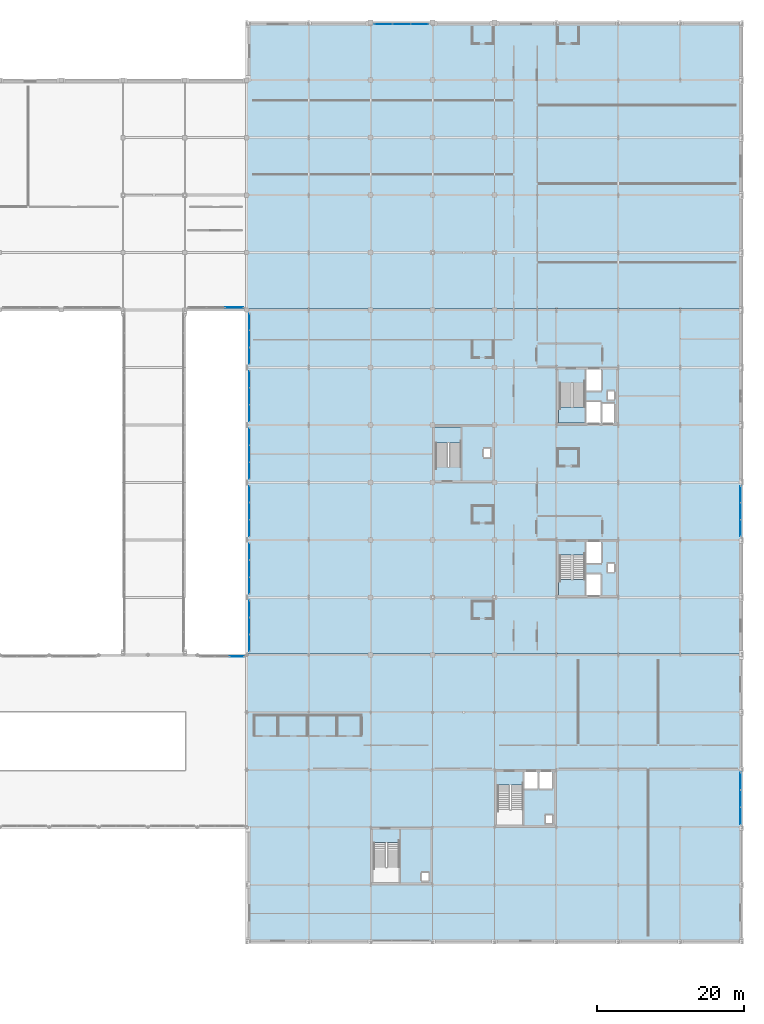
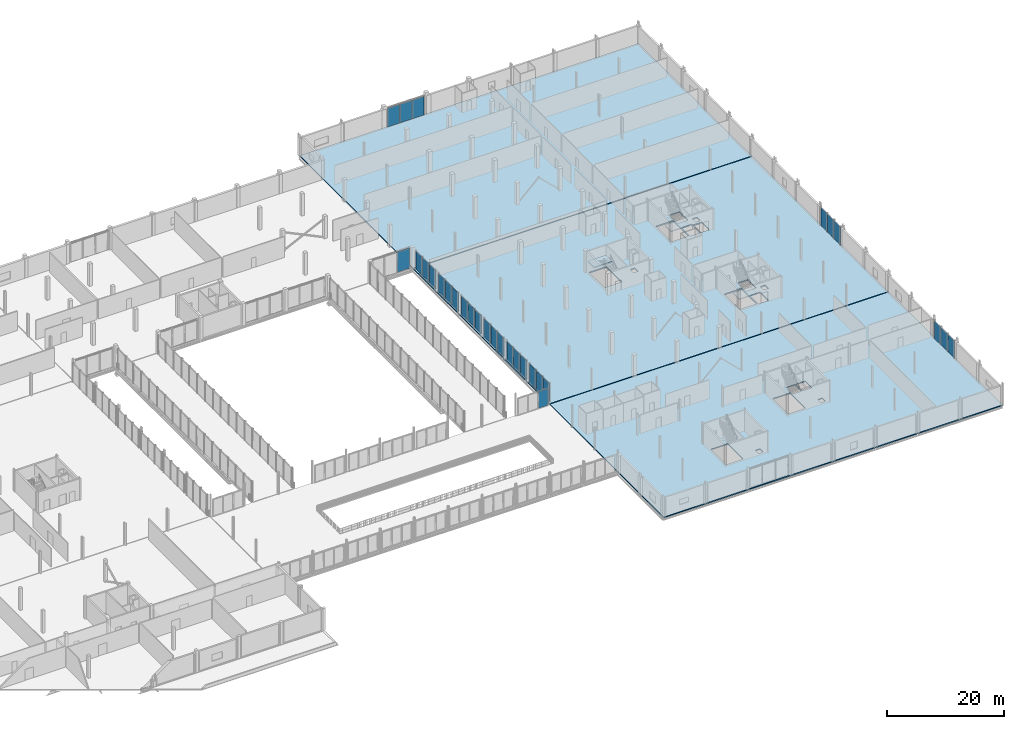
# One storey, part 65 of 98: 29 plates, 6 slabs, 14 elements without a shape of their own.
"""IFC4 building model written with IfcOpenShell, lengths in metres."""

from ifc_helpers import new_model, si_unit, direction, frame, origin, origin_2d, place, context, subcontext, project, spatial, polyline, rectangle, outline, extrude, material, layer, layer_set, type_object, element, aggregate, save


model = new_model("IFC4")

# Units and contexts
model_context = context("Model", 3, precision=1e-05, world=origin(), true_north=direction((0.0, 1.0)))
body_context = subcontext(model_context, "Body", "Model", "MODEL_VIEW")
ifc_project = project(units=[si_unit("LENGTHUNIT", "METRE"), si_unit("AREAUNIT", "SQUARE_METRE"), si_unit("VOLUMEUNIT", "CUBIC_METRE"), si_unit("PLANEANGLEUNIT", "RADIAN"), si_unit("MASSUNIT", "GRAM", prefix="KILO")], contexts=[model_context])

# Site, building, storey
site_placement = place(None, origin())
site = spatial("IfcSite", under=ifc_project, at=site_placement, CompositionType="ELEMENT")
building_placement = place(site_placement, origin())
building = spatial("IfcBuilding", under=site, at=building_placement, Name="Nabrawat Pavilion Hospital", CompositionType="ELEMENT")
storey_placement = place(building_placement, frame((0.0, 0.0, 10.199951171875)))
storey = spatial("IfcBuildingStorey", under=building, at=storey_placement, Name="L02", CompositionType="ELEMENT", Elevation=10.199951171875)

# Slabs
ifc_material_1 = material(Name="Concrete C35/45", Category="concrete")
ifc_layer_1 = layer(ifc_material_1, 0.25, Name="Concrete C35/45")
ifc_layer_set_1 = layer_set([ifc_layer_1], Name="Concrete C35/45")
slab_type_1 = type_object("IfcSlabType", Name="Composite Lower Ward Slab 250", PredefinedType="FLOOR", material=ifc_layer_set_1)
slab_1_placement = place(storey_placement, frame((0.0, 0.0, -0.25)))
element("IfcSlab", 1, at=slab_1_placement, inside=storey, type_object=slab_type_1, Name="L02 Structural Floor Slab P_L02_V6_S", PredefinedType="FLOOR", context=body_context, shape_type="SweptSolid", body=[
    extrude(outline(polyline([(126.1201171875, 39.1201171875), (193.199951171875, 39.1201171875), (193.199951171875, 85.800048828125), (126.1201171875, 85.800048828125), (126.1201171875, 39.1201171875)]), holes=[polyline([(175.8798828125, 73.10009765625), (175.8798828125, 70.5), (174.1201171875, 70.5), (174.1201171875, 73.10009765625), (175.8798828125, 73.10009765625)]), polyline([(174.949951171875, 50.25), (174.949951171875, 51.35009765625), (175.85009765625, 51.35009765625), (175.85009765625, 50.25), (174.949951171875, 50.25)]), polyline([(174.949951171875, 73.64990234375), (174.949951171875, 74.75), (175.85009765625, 74.75), (175.85009765625, 73.64990234375), (174.949951171875, 73.64990234375)]), polyline([(172.10009765625, 51.39990234375), (172.10009765625, 54.300048828125), (174.10009765625, 54.300048828125), (174.10009765625, 51.39990234375), (172.10009765625, 51.39990234375)]), polyline([(172.10009765625, 74.800048828125), (172.10009765625, 77.699951171875), (174.10009765625, 77.699951171875), (174.10009765625, 74.800048828125), (172.10009765625, 74.800048828125)]), polyline([(174.06005859375, 50.0), (174.06005859375, 47.10009765625), (172.10009765625, 47.10009765625), (172.10009765625, 50.0), (174.06005859375, 50.0)]), polyline([(172.10009765625, 70.5), (172.10009765625, 73.39990234375), (174.06005859375, 73.39990234375), (174.06005859375, 70.5), (172.10009765625, 70.5)]), polyline([(171.85009765625, 47.25), (168.449951171875, 47.25), (168.449951171875, 52.530029296875), (171.85009765625, 52.530029296875), (171.85009765625, 47.25)]), polyline([(171.85009765625, 70.64990234375), (168.449951171875, 70.64990234375), (168.449951171875, 75.929931640625), (171.85009765625, 75.929931640625), (171.85009765625, 70.64990234375)]), polyline([(159.050048828125, 66.949951171875), (159.050048828125, 65.85009765625), (158.14990234375, 65.85009765625), (158.14990234375, 66.949951171875), (159.050048828125, 66.949951171875)]), polyline([(155.050048828125, 64.469970703125), (151.64990234375, 64.469970703125), (151.64990234375, 69.75), (155.050048828125, 69.75), (155.050048828125, 64.469970703125)])]), origin(), (0.0, 0.0, 1.0), 0.25),
])
slab_2_placement = place(storey_placement, frame((0.0, 0.0, -0.25)))
element("IfcSlab", 2, at=slab_2_placement, inside=storey, type_object=slab_type_1, Name="L02 Structural Floor Slab P_L02_V6_N", PredefinedType="FLOOR", context=body_context, shape_type="SweptSolid", body=[
    extrude(outline(polyline([(193.199951171875, 85.919921875), (193.199951171875, 124.800048828125), (126.1201171875, 124.800048828125), (126.1201171875, 85.919921875), (193.199951171875, 85.919921875)])), origin(), (0.0, 0.0, 1.0), 0.25),
])
ifc_layer_2 = layer(ifc_material_1, 0.22998046875, Name="Concrete C35/45")
ifc_layer_set_2 = layer_set([ifc_layer_2], Name="Concrete C35/45")
slab_type_2 = type_object("IfcSlabType", Name="Composite Outpatient Floor Slab 230", PredefinedType="FLOOR", material=ifc_layer_set_2)
slab_3_placement = place(storey_placement, frame((0.0, 0.0, -0.22998046875)))
element("IfcSlab", 3, at=slab_3_placement, inside=storey, type_object=slab_type_2, Name="L02 Structural Floor Slab P_L02_V5", PredefinedType="FLOOR", context=body_context, shape_type="SweptSolid", body=[
    extrude(outline(polyline([(126.1201171875, 0.0), (193.199951171875, 0.0), (193.199951171875, 39.0), (126.1201171875, 39.0), (126.1201171875, 0.0)]), holes=[polyline([(167.47998046875, 23.10009765625), (167.47998046875, 20.800048828125), (165.719970703125, 20.800048828125), (165.719970703125, 23.10009765625), (167.47998046875, 23.10009765625)]), polyline([(167.449951171875, 17.25), (167.449951171875, 16.14990234375), (166.550048828125, 16.14990234375), (166.550048828125, 17.25), (167.449951171875, 17.25)]), polyline([(165.4599609375, 23.10009765625), (165.4599609375, 20.800048828125), (163.699951171875, 20.800048828125), (163.699951171875, 23.10009765625), (165.4599609375, 23.10009765625)]), polyline([(160.050048828125, 21.330078125), (163.449951171875, 21.330078125), (163.449951171875, 16.050048828125), (160.050048828125, 16.050048828125), (160.050048828125, 21.330078125)]), polyline([(149.75, 8.35009765625), (149.75, 9.449951171875), (150.64990234375, 9.449951171875), (150.64990234375, 8.35009765625), (149.75, 8.35009765625)]), polyline([(146.64990234375, 8.25), (143.25, 8.25), (143.25, 13.530029296875), (146.64990234375, 13.530029296875), (146.64990234375, 8.25)])]), origin(), (0.0, 0.0, 1.0), 0.22998046875),
])

# Curtain wall, plate
ifc_material_2 = material(Name="Anodised Aluminium", Category="aluminium")
curtain_wall_type_1 = type_object("IfcCurtainWallType", Name="Healing Garden Cloister Curtain Wall", PredefinedType="USERDEFINED", material=ifc_material_2)
curtain_wall_1_placement = place(storey_placement, origin())
curtain_wall_1 = element("IfcCurtainWall", 4, at=curtain_wall_1_placement, inside=storey, type_object=curtain_wall_type_1, Name="L02 Healing Garden Cloister Curtain Wall 129", ObjectType="CURTAIN WALL", PredefinedType="USERDEFINED")
ifc_material_3 = material(Name="Double-Glazed Low-E Glass", Category="glass")
ifc_layer_3 = layer(ifc_material_3, 0.028076171875, Name="Double-Glazed Low-E Glass")
ifc_layer_set_3 = layer_set([ifc_layer_3], Name="Double-Glazed Low-E Glass")
plate_type_1 = type_object("IfcPlateType", Name="Healing Garden Cloister Curtain Wall Low-E Solar Panel 28", PredefinedType="CURTAIN_PANEL", material=ifc_layer_set_3)
plate_1_placement = place(storey_placement, frame((124.29052734375, 86.139892578125, 0.06494140625), z_axis=(0.0, 0.0, 1.0), x_axis=(1.0, 0.0, 0.0)))
plate_1 = element("IfcPlate", 5, at=plate_1_placement, type_object=plate_type_1, Name="CW-CLN-01 panel 3.1", PredefinedType="CURTAIN_PANEL", context=body_context, shape_type="SweptSolid", body=[
    extrude(rectangle(XDim=2.4091796875, YDim=0.028076171875, at=origin_2d()), origin(), (0.0, 0.0, 1.0), 4.239990234375),
])
aggregate(curtain_wall_1, [plate_1])

# Curtain wall, plates
curtain_wall_2_placement = place(storey_placement, origin())
curtain_wall_2 = element("IfcCurtainWall", 6, at=curtain_wall_2_placement, inside=storey, type_object=curtain_wall_type_1, Name="L02 Healing Garden Cloister Curtain Wall 131", ObjectType="CURTAIN WALL", PredefinedType="USERDEFINED")
plate_2_placement = place(storey_placement, frame((126.340087890625, 40.61376953125, 0.06494140625), z_axis=(0.0, 0.0, 1.0), x_axis=(0.0, 1.0, 0.0)))
plate_2 = element("IfcPlate", 7, at=plate_2_placement, type_object=plate_type_1, Name="CW-CLN-01 panel 1.1", PredefinedType="CURTAIN_PANEL", context=body_context, shape_type="SweptSolid", body=[
    extrude(rectangle(XDim=2.217529296875, YDim=0.028076171875, at=origin_2d()), origin(), (0.0, 0.0, 1.0), 3.860107421875),
])
plate_3_placement = place(storey_placement, frame((126.340087890625, 42.91259765625, 0.06494140625), z_axis=(0.0, 0.0, 1.0), x_axis=(0.0, 1.0, 0.0)))
plate_3 = element("IfcPlate", 8, at=plate_3_placement, type_object=plate_type_1, Name="CW-CLN-01 panel 2.1", PredefinedType="CURTAIN_PANEL", context=body_context, shape_type="SweptSolid", body=[
    extrude(rectangle(XDim=2.25, YDim=0.028076171875, at=origin_2d()), origin(), (0.0, 0.0, 1.0), 3.860107421875),
])
plate_4_placement = place(storey_placement, frame((126.340087890625, 45.211181640625, 0.06494140625), z_axis=(0.0, 0.0, 1.0), x_axis=(0.0, 1.0, 0.0)))
plate_4 = element("IfcPlate", 9, at=plate_4_placement, type_object=plate_type_1, Name="CW-CLN-01 panel 3.1", PredefinedType="CURTAIN_PANEL", context=body_context, shape_type="SweptSolid", body=[
    extrude(rectangle(XDim=2.217529296875, YDim=0.028076171875, at=origin_2d()), origin(), (0.0, 0.0, 1.0), 3.860107421875),
])
aggregate(curtain_wall_2, [plate_2, plate_3, plate_4])

curtain_wall_3_placement = place(storey_placement, origin())
curtain_wall_3 = element("IfcCurtainWall", 10, at=curtain_wall_3_placement, inside=storey, type_object=curtain_wall_type_1, Name="L02 Healing Garden Cloister Curtain Wall 132", ObjectType="CURTAIN WALL", PredefinedType="USERDEFINED")
plate_5_placement = place(storey_placement, frame((126.340087890625, 48.392822265625, 0.06494140625), z_axis=(0.0, 0.0, 1.0), x_axis=(0.0, 1.0, 0.0)))
plate_5 = element("IfcPlate", 11, at=plate_5_placement, type_object=plate_type_1, Name="CW-CLN-01 panel 1.1", PredefinedType="CURTAIN_PANEL", context=body_context, shape_type="SweptSolid", body=[
    extrude(rectangle(XDim=2.225830078125, YDim=0.028076171875, at=origin_2d()), origin(), (0.0, 0.0, 1.0), 3.860107421875),
])
plate_6_placement = place(storey_placement, frame((126.340087890625, 50.699951171875, 0.06494140625), z_axis=(0.0, 0.0, 1.0), x_axis=(0.0, 1.0, 0.0)))
plate_6 = element("IfcPlate", 12, at=plate_6_placement, type_object=plate_type_1, Name="CW-CLN-01 panel 2.1", PredefinedType="CURTAIN_PANEL", context=body_context, shape_type="SweptSolid", body=[
    extrude(rectangle(XDim=2.25830078125, YDim=0.028076171875, at=origin_2d()), origin(), (0.0, 0.0, 1.0), 3.860107421875),
])
plate_7_placement = place(storey_placement, frame((126.340087890625, 53.007080078125, 0.06494140625), z_axis=(0.0, 0.0, 1.0), x_axis=(0.0, 1.0, 0.0)))
plate_7 = element("IfcPlate", 13, at=plate_7_placement, type_object=plate_type_1, Name="CW-CLN-01 panel 3.1", PredefinedType="CURTAIN_PANEL", context=body_context, shape_type="SweptSolid", body=[
    extrude(rectangle(XDim=2.225830078125, YDim=0.028076171875, at=origin_2d()), origin(), (0.0, 0.0, 1.0), 3.860107421875),
])
aggregate(curtain_wall_3, [plate_5, plate_6, plate_7])

curtain_wall_4_placement = place(storey_placement, origin())
curtain_wall_4 = element("IfcCurtainWall", 14, at=curtain_wall_4_placement, inside=storey, type_object=curtain_wall_type_1, Name="L02 Healing Garden Cloister Curtain Wall 133", ObjectType="CURTAIN WALL", PredefinedType="USERDEFINED")
plate_8_placement = place(storey_placement, frame((126.340087890625, 56.19287109375, 0.06494140625), z_axis=(0.0, 0.0, 1.0), x_axis=(0.0, 1.0, 0.0)))
plate_8 = element("IfcPlate", 15, at=plate_8_placement, type_object=plate_type_1, Name="CW-CLN-01 panel 1.1", PredefinedType="CURTAIN_PANEL", context=body_context, shape_type="SweptSolid", body=[
    extrude(rectangle(XDim=2.225830078125, YDim=0.028076171875, at=origin_2d()), origin(), (0.0, 0.0, 1.0), 3.860107421875),
])
plate_9_placement = place(storey_placement, frame((126.340087890625, 58.5, 0.06494140625), z_axis=(0.0, 0.0, 1.0), x_axis=(0.0, 1.0, 0.0)))
plate_9 = element("IfcPlate", 16, at=plate_9_placement, type_object=plate_type_1, Name="CW-CLN-01 panel 2.1", PredefinedType="CURTAIN_PANEL", context=body_context, shape_type="SweptSolid", body=[
    extrude(rectangle(XDim=2.25830078125, YDim=0.028076171875, at=origin_2d()), origin(), (0.0, 0.0, 1.0), 3.860107421875),
])
plate_10_placement = place(storey_placement, frame((126.340087890625, 60.80712890625, 0.06494140625), z_axis=(0.0, 0.0, 1.0), x_axis=(0.0, 1.0, 0.0)))
plate_10 = element("IfcPlate", 17, at=plate_10_placement, type_object=plate_type_1, Name="CW-CLN-01 panel 3.1", PredefinedType="CURTAIN_PANEL", context=body_context, shape_type="SweptSolid", body=[
    extrude(rectangle(XDim=2.225830078125, YDim=0.028076171875, at=origin_2d()), origin(), (0.0, 0.0, 1.0), 3.860107421875),
])
aggregate(curtain_wall_4, [plate_8, plate_9, plate_10])

curtain_wall_5_placement = place(storey_placement, origin())
curtain_wall_5 = element("IfcCurtainWall", 18, at=curtain_wall_5_placement, inside=storey, type_object=curtain_wall_type_1, Name="L02 Healing Garden Cloister Curtain Wall 134", ObjectType="CURTAIN WALL", PredefinedType="USERDEFINED")
plate_11_placement = place(storey_placement, frame((126.340087890625, 63.992919921875, 0.06494140625), z_axis=(0.0, 0.0, 1.0), x_axis=(0.0, 1.0, 0.0)))
plate_11 = element("IfcPlate", 19, at=plate_11_placement, type_object=plate_type_1, Name="CW-CLN-01 panel 1.1", PredefinedType="CURTAIN_PANEL", context=body_context, shape_type="SweptSolid", body=[
    extrude(rectangle(XDim=2.225830078125, YDim=0.028076171875, at=origin_2d()), origin(), (0.0, 0.0, 1.0), 3.860107421875),
])
plate_12_placement = place(storey_placement, frame((126.340087890625, 66.300048828125, 0.06494140625), z_axis=(0.0, 0.0, 1.0), x_axis=(0.0, 1.0, 0.0)))
plate_12 = element("IfcPlate", 20, at=plate_12_placement, type_object=plate_type_1, Name="CW-CLN-01 panel 2.1", PredefinedType="CURTAIN_PANEL", context=body_context, shape_type="SweptSolid", body=[
    extrude(rectangle(XDim=2.25830078125, YDim=0.028076171875, at=origin_2d()), origin(), (0.0, 0.0, 1.0), 3.860107421875),
])
plate_13_placement = place(storey_placement, frame((126.340087890625, 68.607177734375, 0.06494140625), z_axis=(0.0, 0.0, 1.0), x_axis=(0.0, 1.0, 0.0)))
plate_13 = element("IfcPlate", 21, at=plate_13_placement, type_object=plate_type_1, Name="CW-CLN-01 panel 3.1", PredefinedType="CURTAIN_PANEL", context=body_context, shape_type="SweptSolid", body=[
    extrude(rectangle(XDim=2.225830078125, YDim=0.028076171875, at=origin_2d()), origin(), (0.0, 0.0, 1.0), 3.860107421875),
])
aggregate(curtain_wall_5, [plate_11, plate_12, plate_13])

curtain_wall_6_placement = place(storey_placement, origin())
curtain_wall_6 = element("IfcCurtainWall", 22, at=curtain_wall_6_placement, inside=storey, type_object=curtain_wall_type_1, Name="L02 Healing Garden Cloister Curtain Wall 135", ObjectType="CURTAIN WALL", PredefinedType="USERDEFINED")
plate_14_placement = place(storey_placement, frame((126.340087890625, 71.79296875, 0.06494140625), z_axis=(0.0, 0.0, 1.0), x_axis=(0.0, 1.0, 0.0)))
plate_14 = element("IfcPlate", 23, at=plate_14_placement, type_object=plate_type_1, Name="CW-CLN-01 panel 1.1", PredefinedType="CURTAIN_PANEL", context=body_context, shape_type="SweptSolid", body=[
    extrude(rectangle(XDim=2.225830078125, YDim=0.028076171875, at=origin_2d()), origin(), (0.0, 0.0, 1.0), 3.860107421875),
])
plate_15_placement = place(storey_placement, frame((126.340087890625, 74.10009765625, 0.06494140625), z_axis=(0.0, 0.0, 1.0), x_axis=(0.0, 1.0, 0.0)))
plate_15 = element("IfcPlate", 24, at=plate_15_placement, type_object=plate_type_1, Name="CW-CLN-01 panel 2.1", PredefinedType="CURTAIN_PANEL", context=body_context, shape_type="SweptSolid", body=[
    extrude(rectangle(XDim=2.25830078125, YDim=0.028076171875, at=origin_2d()), origin(), (0.0, 0.0, 1.0), 3.860107421875),
])
plate_16_placement = place(storey_placement, frame((126.340087890625, 76.406982421875, 0.06494140625), z_axis=(0.0, 0.0, 1.0), x_axis=(0.0, 1.0, 0.0)))
plate_16 = element("IfcPlate", 25, at=plate_16_placement, type_object=plate_type_1, Name="CW-CLN-01 panel 3.1", PredefinedType="CURTAIN_PANEL", context=body_context, shape_type="SweptSolid", body=[
    extrude(rectangle(XDim=2.225830078125, YDim=0.028076171875, at=origin_2d()), origin(), (0.0, 0.0, 1.0), 3.860107421875),
])
aggregate(curtain_wall_6, [plate_14, plate_15, plate_16])

curtain_wall_7_placement = place(storey_placement, origin())
curtain_wall_7 = element("IfcCurtainWall", 26, at=curtain_wall_7_placement, inside=storey, type_object=curtain_wall_type_1, Name="L02 Healing Garden Cloister Curtain Wall 136", ObjectType="CURTAIN WALL", PredefinedType="USERDEFINED")
plate_17_placement = place(storey_placement, frame((126.340087890625, 79.5888671875, 0.06494140625), z_axis=(0.0, 0.0, 1.0), x_axis=(0.0, 1.0, 0.0)))
plate_17 = element("IfcPlate", 27, at=plate_17_placement, type_object=plate_type_1, Name="CW-CLN-01 panel 1.1", PredefinedType="CURTAIN_PANEL", context=body_context, shape_type="SweptSolid", body=[
    extrude(rectangle(XDim=2.217529296875, YDim=0.028076171875, at=origin_2d()), origin(), (0.0, 0.0, 1.0), 3.860107421875),
])
plate_18_placement = place(storey_placement, frame((126.340087890625, 81.887451171875, 0.06494140625), z_axis=(0.0, 0.0, 1.0), x_axis=(0.0, 1.0, 0.0)))
plate_18 = element("IfcPlate", 28, at=plate_18_placement, type_object=plate_type_1, Name="CW-CLN-01 panel 2.1", PredefinedType="CURTAIN_PANEL", context=body_context, shape_type="SweptSolid", body=[
    extrude(rectangle(XDim=2.25, YDim=0.028076171875, at=origin_2d()), origin(), (0.0, 0.0, 1.0), 3.860107421875),
])
plate_19_placement = place(storey_placement, frame((126.340087890625, 84.186279296875, 0.06494140625), z_axis=(0.0, 0.0, 1.0), x_axis=(0.0, 1.0, 0.0)))
plate_19 = element("IfcPlate", 29, at=plate_19_placement, type_object=plate_type_1, Name="CW-CLN-01 panel 3.1", PredefinedType="CURTAIN_PANEL", context=body_context, shape_type="SweptSolid", body=[
    extrude(rectangle(XDim=2.217529296875, YDim=0.028076171875, at=origin_2d()), origin(), (0.0, 0.0, 1.0), 3.860107421875),
])
aggregate(curtain_wall_7, [plate_17, plate_18, plate_19])

curtain_wall_type_2 = type_object("IfcCurtainWallType", Name="Inpatient Dayroom Bay Curtain Wall", PredefinedType="USERDEFINED", material=ifc_material_2)
curtain_wall_8_placement = place(storey_placement, origin())
curtain_wall_8 = element("IfcCurtainWall", 30, at=curtain_wall_8_placement, inside=storey, type_object=curtain_wall_type_2, Name="L02 Inpatient Dayroom Bay Curtain Wall 137", ObjectType="CURTAIN WALL", PredefinedType="USERDEFINED")
ifc_layer_4 = layer(ifc_material_3, 0.02587890625, Name="Double-Glazed Low-E Glass")
ifc_layer_set_4 = layer_set([ifc_layer_4], Name="Double-Glazed Low-E Glass")
plate_type_2 = type_object("IfcPlateType", Name="Inpatient Dayroom Bay Curtain Wall Low-E Solar Panel 26", PredefinedType="CURTAIN_PANEL", material=ifc_layer_set_4)
plate_20_placement = place(storey_placement, frame((144.561767578125, 124.580078125, 0.06005859375), z_axis=(0.0, 0.0, 1.0), x_axis=(1.0, 0.0, 0.0)))
plate_20 = element("IfcPlate", 31, at=plate_20_placement, type_object=plate_type_2, Name="CW-WRD-01 panel 1.1", PredefinedType="CURTAIN_PANEL", context=body_context, shape_type="SweptSolid", body=[
    extrude(rectangle(XDim=2.36328125, YDim=0.02587890625, at=origin_2d()), origin(), (0.0, 0.0, 1.0), 3.929931640625),
])
plate_21_placement = place(storey_placement, frame((147.0, 124.580078125, 0.06005859375), z_axis=(0.0, 0.0, 1.0), x_axis=(1.0, 0.0, 0.0)))
plate_21 = element("IfcPlate", 32, at=plate_21_placement, type_object=plate_type_2, Name="CW-WRD-01 panel 2.1", PredefinedType="CURTAIN_PANEL", context=body_context, shape_type="SweptSolid", body=[
    extrude(rectangle(XDim=2.393310546875, YDim=0.02587890625, at=origin_2d()), origin(), (0.0, 0.0, 1.0), 3.929931640625),
])
plate_22_placement = place(storey_placement, frame((149.438232421875, 124.580078125, 0.06005859375), z_axis=(0.0, 0.0, 1.0), x_axis=(1.0, 0.0, 0.0)))
plate_22 = element("IfcPlate", 33, at=plate_22_placement, type_object=plate_type_2, Name="CW-WRD-01 panel 3.1", PredefinedType="CURTAIN_PANEL", context=body_context, shape_type="SweptSolid", body=[
    extrude(rectangle(XDim=2.36328125, YDim=0.02587890625, at=origin_2d()), origin(), (0.0, 0.0, 1.0), 3.929931640625),
])
aggregate(curtain_wall_8, [plate_20, plate_21, plate_22])

curtain_wall_9_placement = place(storey_placement, origin())
curtain_wall_9 = element("IfcCurtainWall", 34, at=curtain_wall_9_placement, inside=storey, type_object=curtain_wall_type_2, Name="L02 Inpatient Dayroom Bay Curtain Wall 139", ObjectType="CURTAIN WALL", PredefinedType="USERDEFINED")
plate_23_placement = place(storey_placement, frame((192.97998046875, 56.211669921875, 0.06005859375), z_axis=(0.0, 0.0, 1.0), x_axis=(0.0, 1.0, 0.0)))
plate_23 = element("IfcPlate", 35, at=plate_23_placement, type_object=plate_type_2, Name="CW-WRD-01 panel 1.1", PredefinedType="CURTAIN_PANEL", context=body_context, shape_type="SweptSolid", body=[
    extrude(rectangle(XDim=2.21337890625, YDim=0.02587890625, at=origin_2d()), origin(), (0.0, 0.0, 1.0), 3.830078125),
])
plate_24_placement = place(storey_placement, frame((192.97998046875, 58.5, 0.06005859375), z_axis=(0.0, 0.0, 1.0), x_axis=(0.0, 1.0, 0.0)))
plate_24 = element("IfcPlate", 36, at=plate_24_placement, type_object=plate_type_2, Name="CW-WRD-01 panel 2.1", PredefinedType="CURTAIN_PANEL", context=body_context, shape_type="SweptSolid", body=[
    extrude(rectangle(XDim=2.243408203125, YDim=0.02587890625, at=origin_2d()), origin(), (0.0, 0.0, 1.0), 3.830078125),
])
plate_25_placement = place(storey_placement, frame((192.97998046875, 60.788330078125, 0.06005859375), z_axis=(0.0, 0.0, 1.0), x_axis=(0.0, 1.0, 0.0)))
plate_25 = element("IfcPlate", 37, at=plate_25_placement, type_object=plate_type_2, Name="CW-WRD-01 panel 3.1", PredefinedType="CURTAIN_PANEL", context=body_context, shape_type="SweptSolid", body=[
    extrude(rectangle(XDim=2.21337890625, YDim=0.02587890625, at=origin_2d()), origin(), (0.0, 0.0, 1.0), 3.830078125),
])
aggregate(curtain_wall_9, [plate_23, plate_24, plate_25])

# Curtain wall, plate
curtain_wall_type_3 = type_object("IfcCurtainWallType", Name="Main Hall Pavilion Unitised Curtain Wall", PredefinedType="USERDEFINED", material=ifc_material_2)
curtain_wall_10_placement = place(storey_placement, origin())
curtain_wall_10 = element("IfcCurtainWall", 38, at=curtain_wall_10_placement, inside=storey, type_object=curtain_wall_type_3, Name="L02 Main Hall Pavilion Unitised Curtain Wall 128", ObjectType="CURTAIN WALL", PredefinedType="USERDEFINED")
ifc_layer_5 = layer(ifc_material_3, 0.035888671875, Name="Double-Glazed Low-E Glass")
ifc_layer_set_5 = layer_set([ifc_layer_5], Name="Double-Glazed Low-E Glass")
plate_type_3 = type_object("IfcPlateType", Name="Main Hall Pavilion Unitised Curtain Wall Low-E Solar Panel 36", PredefinedType="CURTAIN_PANEL", material=ifc_layer_set_5)
plate_26_placement = place(storey_placement, frame((124.634521484375, 38.780029296875, 0.0751953125), z_axis=(0.0, 0.0, 1.0), x_axis=(1.0, 0.0, 0.0)))
plate_26 = element("IfcPlate", 39, at=plate_26_placement, type_object=plate_type_3, Name="CW-MH-01 panel 3.1", PredefinedType="CURTAIN_PANEL", context=body_context, shape_type="SweptSolid", body=[
    extrude(rectangle(XDim=1.894775390625, YDim=0.035888671875, at=origin_2d()), origin(), (0.0, 0.0, 1.0), 3.530029296875),
])
aggregate(curtain_wall_10, [plate_26])

# Curtain wall, plates
curtain_wall_type_4 = type_object("IfcCurtainWallType", Name="Outpatient Boulevard Curtain Wall", PredefinedType="USERDEFINED", material=ifc_material_2)
curtain_wall_11_placement = place(storey_placement, origin())
curtain_wall_11 = element("IfcCurtainWall", 40, at=curtain_wall_11_placement, inside=storey, type_object=curtain_wall_type_4, Name="L02 Outpatient Boulevard Curtain Wall 138", ObjectType="CURTAIN WALL", PredefinedType="USERDEFINED")
ifc_layer_6 = layer(ifc_material_3, 0.02392578125, Name="Double-Glazed Low-E Glass")
ifc_layer_set_6 = layer_set([ifc_layer_6], Name="Double-Glazed Low-E Glass")
plate_type_4 = type_object("IfcPlateType", Name="Outpatient Boulevard Curtain Wall Low-E Solar Panel 24", PredefinedType="CURTAIN_PANEL", material=ifc_layer_set_6)
plate_27_placement = place(storey_placement, frame((192.97998046875, 17.1484375, 0.06005859375), z_axis=(0.0, 0.0, 1.0), x_axis=(0.0, 1.0, 0.0)))
plate_27 = element("IfcPlate", 41, at=plate_27_placement, type_object=plate_type_4, Name="CW-OPC-01 panel 1.1", PredefinedType="CURTAIN_PANEL", context=body_context, shape_type="SweptSolid", body=[
    extrude(rectangle(XDim=2.276611328125, YDim=0.02392578125, at=origin_2d()), origin(), (0.0, 0.0, 1.0), 3.679931640625),
])
plate_28_placement = place(storey_placement, frame((192.97998046875, 19.5, 0.06005859375), z_axis=(0.0, 0.0, 1.0), x_axis=(0.0, 1.0, 0.0)))
plate_28 = element("IfcPlate", 42, at=plate_28_placement, type_object=plate_type_4, Name="CW-OPC-01 panel 2.1", PredefinedType="CURTAIN_PANEL", context=body_context, shape_type="SweptSolid", body=[
    extrude(rectangle(XDim=2.306640625, YDim=0.02392578125, at=origin_2d()), origin(), (0.0, 0.0, 1.0), 3.679931640625),
])
plate_29_placement = place(storey_placement, frame((192.97998046875, 21.8515625, 0.06005859375), z_axis=(0.0, 0.0, 1.0), x_axis=(0.0, 1.0, 0.0)))
plate_29 = element("IfcPlate", 43, at=plate_29_placement, type_object=plate_type_4, Name="CW-OPC-01 panel 3.1", PredefinedType="CURTAIN_PANEL", context=body_context, shape_type="SweptSolid", body=[
    extrude(rectangle(XDim=2.276611328125, YDim=0.02392578125, at=origin_2d()), origin(), (0.0, 0.0, 1.0), 3.679931640625),
])
aggregate(curtain_wall_11, [plate_27, plate_28, plate_29])

# Stair, slab
stair_type = type_object("IfcStairType", Name="Ward Upper Dogleg Escape Stair Assembly", PredefinedType="HALF_TURN_STAIR", material=ifc_material_1)
stair_1_placement = place(storey_placement, origin())
stair_1 = element("IfcStair", 44, at=stair_1_placement, inside=storey, type_object=stair_type, Name="L02 Inpatient South Firefighting Core 5", PredefinedType="HALF_TURN_STAIR")
ifc_layer_7 = layer(ifc_material_1, 0.199951171875, Name="Concrete C35/45")
ifc_layer_set_7 = layer_set([ifc_layer_7], Name="Concrete C35/45")
slab_type_3 = type_object("IfcSlabType", Name="Reinforced Concrete Stair Half-Landing 200", PredefinedType="LANDING", material=ifc_layer_set_7)
slab_4_placement = place(storey_placement, frame((0.0, 0.0, 2.125)))
slab_4 = element("IfcSlab", 45, at=slab_4_placement, type_object=slab_type_3, Name="ST-05 landing 1", PredefinedType="LANDING", context=body_context, shape_type="SweptSolid", body=[
    extrude(outline(polyline([(171.8701171875, 47.080078125), (171.8701171875, 49.22998046875), (168.280029296875, 49.22998046875), (168.280029296875, 47.080078125), (171.8701171875, 47.080078125)])), origin(), (0.0, 0.0, 1.0), 0.199951171875),
])
aggregate(stair_1, [slab_4])

stair_2_placement = place(storey_placement, origin())
stair_2 = element("IfcStair", 46, at=stair_2_placement, inside=storey, type_object=stair_type, Name="L02 Inpatient North Firefighting Core 6", PredefinedType="HALF_TURN_STAIR")
slab_5_placement = place(storey_placement, frame((0.0, 0.0, 2.125)))
slab_5 = element("IfcSlab", 47, at=slab_5_placement, type_object=slab_type_3, Name="ST-06 landing 1", PredefinedType="LANDING", context=body_context, shape_type="SweptSolid", body=[
    extrude(outline(polyline([(171.8701171875, 70.47998046875), (171.8701171875, 72.6298828125), (168.280029296875, 72.6298828125), (168.280029296875, 70.47998046875), (171.8701171875, 70.47998046875)])), origin(), (0.0, 0.0, 1.0), 0.199951171875),
])
aggregate(stair_2, [slab_5])

stair_3_placement = place(storey_placement, origin())
stair_3 = element("IfcStair", 48, at=stair_3_placement, inside=storey, type_object=stair_type, Name="L02 Inpatient West Escape Stair Core 9", PredefinedType="HALF_TURN_STAIR")
slab_6_placement = place(storey_placement, frame((0.0, 0.0, 2.125)))
slab_6 = element("IfcSlab", 49, at=slab_6_placement, type_object=slab_type_3, Name="ST-09 landing 1", PredefinedType="LANDING", context=body_context, shape_type="SweptSolid", body=[
    extrude(outline(polyline([(155.070068359375, 67.77001953125), (155.070068359375, 69.919921875), (151.47998046875, 69.919921875), (151.47998046875, 67.77001953125), (155.070068359375, 67.77001953125)])), origin(), (0.0, 0.0, 1.0), 0.199951171875),
])
aggregate(stair_3, [slab_6])

save(model, "model.ifc")
